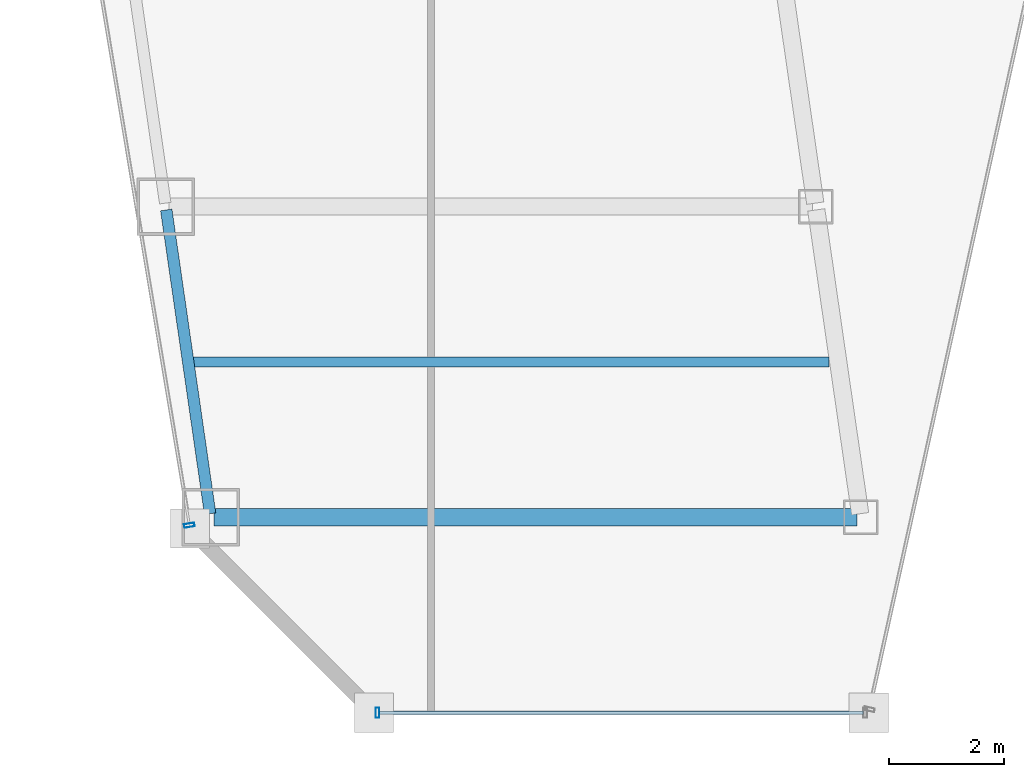
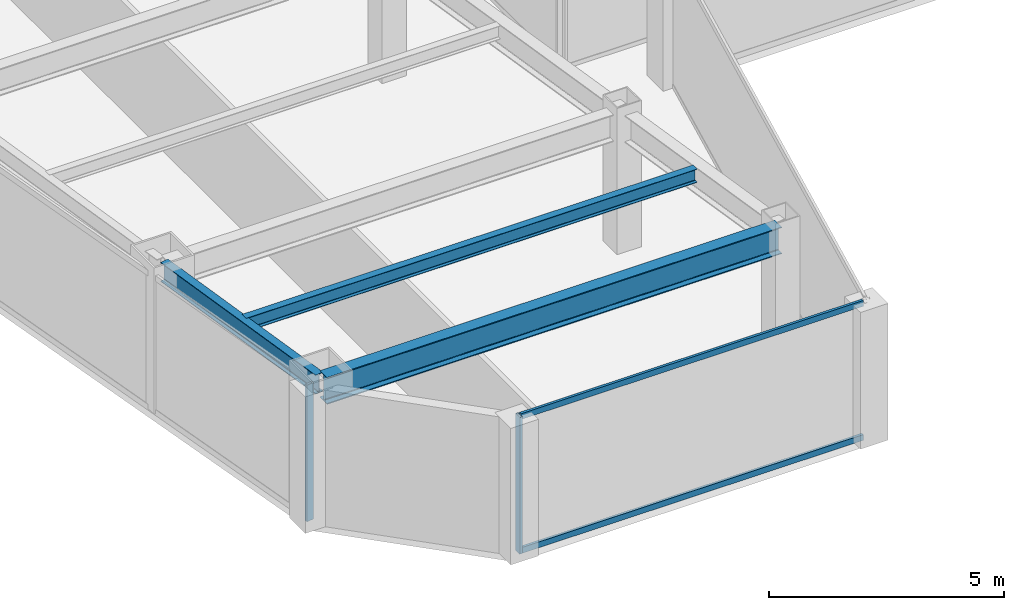
# One storey, part 2 of 36: 4 members, 3 beams, 2 elements without a shape of their own.
"""IFC4 building model written with IfcOpenShell, lengths in metres."""

from ifc_helpers import new_model, si_unit, direction, frame, origin, origin_2d, place, context, subcontext, project, spatial, hollow_rectangle, i_section, extrude, material, material_profile, profile_set, type_object, element, aggregate, save


model = new_model("IFC4")

# Units and contexts
model_context = context("Model", 3, precision=1e-05, world=origin(), true_north=direction((0.0, 1.0)))
body_context = subcontext(model_context, "Body", "Model", "MODEL_VIEW")
ifc_project = project(units=[si_unit("LENGTHUNIT", "METRE"), si_unit("AREAUNIT", "SQUARE_METRE"), si_unit("VOLUMEUNIT", "CUBIC_METRE"), si_unit("PLANEANGLEUNIT", "RADIAN"), si_unit("MASSUNIT", "GRAM", prefix="KILO")], contexts=[model_context])

# Site, building, storey
site_placement = place(None, origin())
site = spatial("IfcSite", under=ifc_project, at=site_placement, CompositionType="ELEMENT")
building_placement = place(site_placement, origin())
building = spatial("IfcBuilding", under=site, at=building_placement, Name="Saevonmaru Cultural Tower", CompositionType="ELEMENT")
storey_placement = place(building_placement, frame((0.0, 0.0, 148.60009765625)))
storey = spatial("IfcBuildingStorey", under=building, at=storey_placement, Name="L32", CompositionType="ELEMENT", Elevation=148.60009765625)

# Beams
ifc_material_1 = material(Name="Steel SM355", Category="steel")
ifc_material_profile_1 = material_profile(ifc_material_1, i_section(OverallWidth=0.300048828125, OverallDepth=0.699951171875, WebThickness=0.012939453125, FlangeThickness=0.02392578125, FilletRadius=0.02587890625, at=origin_2d()), Name="H-700x300x13x24")
ifc_profile_set_1 = profile_set([ifc_material_profile_1], Name="Steel SM355")
beam_type_1 = type_object("IfcBeamType", Name="BM-G-H700", PredefinedType="BEAM", material=ifc_profile_set_1)
beam_1_placement = place(storey_placement, frame((11.468017578125, 10.60009765625, 3.199951171875), z_axis=(1.0, 0.0, 0.0), x_axis=(0.0, 1.0, 0.0)))
element("IfcBeam", 1, at=beam_1_placement, inside=storey, type_object=beam_type_1, Name="L32 West Wing Transverse Girder 1", PredefinedType="BEAM", context=body_context, shape_type="SweptSolid", body=[
    extrude(i_section(OverallWidth=0.300048828125, OverallDepth=0.699951171875, WebThickness=0.012939453125, FlangeThickness=0.02392578125, FilletRadius=0.02587890625, at=origin_2d()), origin(), (0.0, 0.0, 1.0), 11.179931640625),
])
ifc_material_profile_2 = material_profile(ifc_material_1, i_section(OverallWidth=0.175048828125, OverallDepth=0.35009765625, WebThickness=0.007080078125, FlangeThickness=0.010986328125, FilletRadius=0.012939453125, at=origin_2d()), Name="H-350x175x7x11")
ifc_profile_set_2 = profile_set([ifc_material_profile_2], Name="Steel SM355")
beam_type_2 = type_object("IfcBeamType", Name="BM-J-H350", PredefinedType="JOIST", material=ifc_profile_set_2)
beam_2_placement = place(storey_placement, frame((11.077880859375, 13.300048828125, 3.375), z_axis=(1.0, 0.0, 0.0), x_axis=(0.0, 1.0, 0.0)))
element("IfcBeam", 2, at=beam_2_placement, inside=storey, type_object=beam_type_2, Name="L32 West Wing Floor Joist 1", PredefinedType="JOIST", context=body_context, shape_type="SweptSolid", body=[
    extrude(i_section(OverallWidth=0.175048828125, OverallDepth=0.35009765625, WebThickness=0.007080078125, FlangeThickness=0.010986328125, FilletRadius=0.012939453125, at=origin_2d()), origin(), (0.0, 0.0, 1.0), 11.08203125),
])
ifc_material_profile_3 = material_profile(ifc_material_1, i_section(OverallWidth=0.199951171875, OverallDepth=0.5, WebThickness=0.010009765625, FlangeThickness=0.01611328125, FilletRadius=0.02001953125, at=origin_2d()), Name="H-500x200x10x16")
ifc_profile_set_3 = profile_set([ifc_material_profile_3], Name="Steel SM355")
beam_type_3 = type_object("IfcBeamType", Name="BM-SP-H500", PredefinedType="SPANDREL", material=ifc_profile_set_3)
beam_3_placement = place(storey_placement, frame((11.3994140625, 10.659423828125, 3.2998046875), z_axis=(-0.1429328758, 0.989732384544, 0.0), x_axis=(-0.989732384544, -0.1429328758, 0.0)))
element("IfcBeam", 3, at=beam_3_placement, inside=storey, type_object=beam_type_3, Name="L32 West Splayed Spandrel 1", PredefinedType="SPANDREL", context=body_context, shape_type="SweptSolid", body=[
    extrude(i_section(OverallWidth=0.199951171875, OverallDepth=0.5, WebThickness=0.010009765625, FlangeThickness=0.01611328125, FilletRadius=0.02001953125, at=origin_2d()), origin(), (0.0, 0.0, 1.0), 5.3359375),
])

# Curtain wall, member
ifc_material_2 = material(Name="Satin Bronze Anodised Aluminium", Category="aluminium")
curtain_wall_type = type_object("IfcCurtainWallType", Name="CW-TYP-A", PredefinedType="NOTDEFINED", material=ifc_material_2)
curtain_wall_1_placement = place(storey_placement, origin())
curtain_wall_1 = element("IfcCurtainWall", 4, at=curtain_wall_1_placement, inside=storey, type_object=curtain_wall_type, Name="L32 Unitised Curtain Wall E2", PredefinedType="NOTDEFINED")
ifc_material_profile_4 = material_profile(ifc_material_2, hollow_rectangle(XDim=0.06494140625, YDim=0.179931640625, WallThickness=0.00390625, at=origin_2d()), Name="ALU-MULL-180x65x4")
ifc_profile_set_4 = profile_set([ifc_material_profile_4], Name="Satin Bronze Anodised Aluminium")
member_type_1 = type_object("IfcMemberType", Name="ML-CW-180x65", PredefinedType="MULLION", material=ifc_profile_set_4)
member_1_placement = place(storey_placement, frame((14.308837890625, 7.199951171875, 0.0), z_axis=(0.0, 0.0, 1.0), x_axis=(1.0, 0.0, 0.0)))
member_1 = element("IfcMember", 5, at=member_1_placement, type_object=member_type_1, Name="CW-TW-L32-E2 mullion 1", PredefinedType="MULLION", context=body_context, shape_type="SweptSolid", body=[
    extrude(hollow_rectangle(XDim=0.06494140625, YDim=0.179931640625, WallThickness=0.00390625, at=origin_2d()), origin(), (0.0, 0.0, 1.0), 3.5498046875),
])

curtain_wall_2_placement = place(storey_placement, origin())
curtain_wall_2 = element("IfcCurtainWall", 6, at=curtain_wall_2_placement, inside=storey, type_object=curtain_wall_type, Name="L32 Unitised Curtain Wall E12", PredefinedType="NOTDEFINED")
member_2_placement = place(storey_placement, frame((11.0390625, 10.459228515625, 0.0), z_axis=(0.0, 0.0, 1.0), x_axis=(0.163998702345, -0.986460554523, 0.0)))
member_2 = element("IfcMember", 7, at=member_2_placement, type_object=member_type_1, Name="CW-TW-L32-E12 mullion 5", PredefinedType="MULLION", context=body_context, shape_type="SweptSolid", body=[
    extrude(hollow_rectangle(XDim=0.06494140625, YDim=0.179931640625, WallThickness=0.00390625, at=origin_2d()), origin(), (0.0, 0.0, 1.0), 3.5498046875),
])
aggregate(curtain_wall_2, [member_2])

# Member
ifc_material_profile_5 = material_profile(ifc_material_2, hollow_rectangle(XDim=0.06494140625, YDim=0.14990234375, WallThickness=0.00390625, at=origin_2d()), Name="ALU-TRAN-150x65x4")
ifc_profile_set_5 = profile_set([ifc_material_profile_5], Name="Satin Bronze Anodised Aluminium")
member_type_2 = type_object("IfcMemberType", Name="TR-CW-150x65", PredefinedType="USERDEFINED", material=ifc_profile_set_5)
member_3_placement = place(storey_placement, frame((14.34130859375, 7.199951171875, 0.032470703125), z_axis=(1.0, 0.0, 0.0), x_axis=(0.0, 1.0, 0.0)))
member_3 = element("IfcMember", 8, at=member_3_placement, type_object=member_type_2, Name="CW-TW-L32-E2 transom 1.1", ObjectType="TRANSOM", PredefinedType="USERDEFINED", context=body_context, shape_type="SweptSolid", body=[
    extrude(hollow_rectangle(XDim=0.06494140625, YDim=0.14990234375, WallThickness=0.00390625, at=origin_2d()), origin(), (0.0, 0.0, 1.0), 8.4150390625),
])

member_4_placement = place(storey_placement, frame((14.34130859375, 7.199951171875, 3.517333984375), z_axis=(1.0, 0.0, 0.0), x_axis=(0.0, 1.0, 0.0)))
member_4 = element("IfcMember", 9, at=member_4_placement, type_object=member_type_2, Name="CW-TW-L32-E2 transom 1.2", ObjectType="TRANSOM", PredefinedType="USERDEFINED", context=body_context, shape_type="SweptSolid", body=[
    extrude(hollow_rectangle(XDim=0.06494140625, YDim=0.14990234375, WallThickness=0.00390625, at=origin_2d()), origin(), (0.0, 0.0, 1.0), 8.4150390625),
])

aggregate(curtain_wall_1, [member_1, member_3, member_4])

save(model, "model.ifc")
